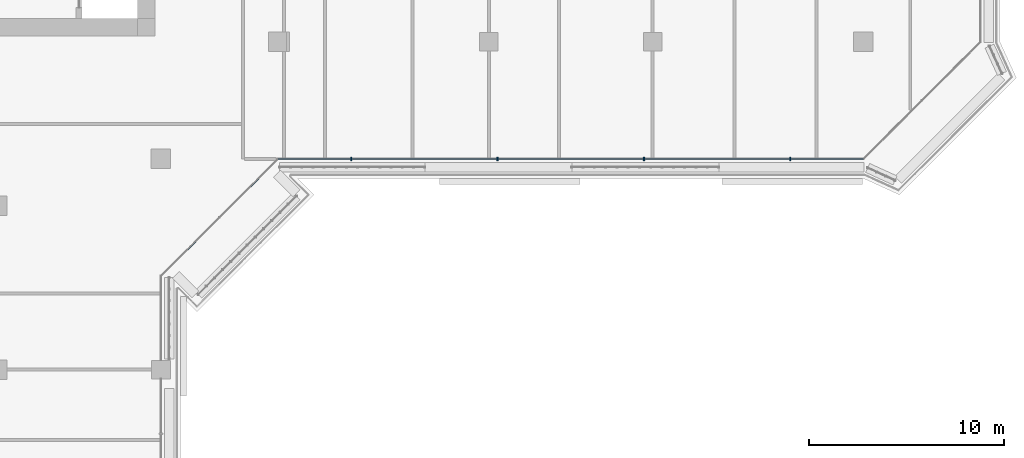
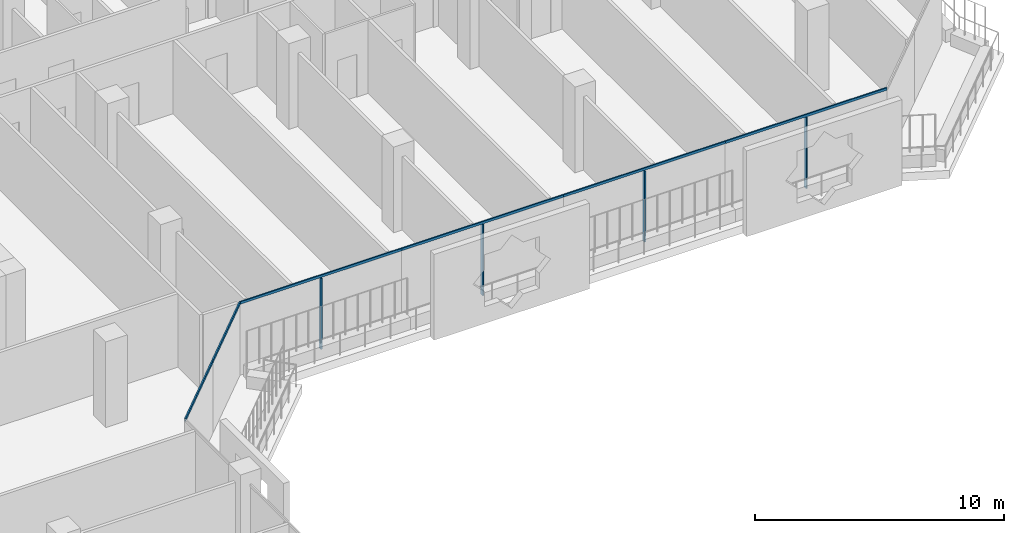
# One storey, part 3 of 22: 10 members, 2 elements without a shape of their own.
"""IFC4 building model written with IfcOpenShell, lengths in metres."""

from ifc_helpers import new_model, si_unit, direction, frame, origin, origin_2d, place, context, subcontext, project, spatial, rectangle, extrude, material, layer, layer_set, material_profile, profile_set, type_object, element, aggregate, save


model = new_model("IFC4")

# Units and contexts
model_context = context("Model", 3, precision=1e-05, world=origin(), true_north=direction((0.0, 1.0)))
body_context = subcontext(model_context, "Body", "Model", "MODEL_VIEW")
ifc_project = project(units=[si_unit("LENGTHUNIT", "METRE"), si_unit("AREAUNIT", "SQUARE_METRE"), si_unit("VOLUMEUNIT", "CUBIC_METRE"), si_unit("PLANEANGLEUNIT", "RADIAN"), si_unit("MASSUNIT", "GRAM", prefix="KILO")], contexts=[model_context])

# Site, building, storey
site_placement = place(None, origin())
site = spatial("IfcSite", under=ifc_project, at=site_placement, CompositionType="ELEMENT")
building_placement = place(site_placement, origin())
building = spatial("IfcBuilding", under=site, at=building_placement, Name="Kawkab Arch Medical Tower", CompositionType="ELEMENT")
storey_placement = place(building_placement, frame((0.0, 0.0, 196.199951171875)))
storey = spatial("IfcBuildingStorey", under=building, at=storey_placement, Name="L45", CompositionType="ELEMENT", Elevation=196.199951171875)

# Curtain wall, members
ifc_material_1 = material(Name="Bronze anodised aluminium curtain wall frame", Category="aluminium")
ifc_layer_1 = layer(ifc_material_1, 0.159912109375)
ifc_layer_set_1 = layer_set([ifc_layer_1], Name="Bronze anodised aluminium curtain wall frame")
curtain_wall_type_1 = type_object("IfcCurtainWallType", Name="CW1 ward curtain wall", PredefinedType="NOTDEFINED", material=ifc_layer_set_1)
placement = place(storey_placement, origin())
curtain_wall_1 = element("IfcCurtainWall", 1, at=placement, inside=storey, type_object=curtain_wall_type_1, Name="CW1 Ward curtain wall R07", PredefinedType="NOTDEFINED")
ifc_material_2 = material(Name="Bronze anodised aluminium curtain wall frame", Category="aluminium")
ifc_material_profile_1 = material_profile(ifc_material_2, rectangle(XDim=0.179931640625, YDim=0.06005859375, at=origin_2d()), Name="AL 60x180")
ifc_profile_set_1 = profile_set([ifc_material_profile_1], Name="Bronze anodised aluminium curtain wall frame")
member_type_1 = type_object("IfcMemberType", Name="CW1 mullion 60 x 180", PredefinedType="MULLION", material=ifc_profile_set_1)
member_1_placement = place(storey_placement, frame((34.949951171875, -31.199951171875, 0.0), z_axis=(0.0, 0.0, 1.0), x_axis=(0.0, 1.0, 0.0)))
member_1 = element("IfcMember", 2, at=member_1_placement, type_object=member_type_1, Name="CW1 mullion 1.1", PredefinedType="MULLION", context=body_context, shape_type="SweptSolid", body=[
    extrude(rectangle(XDim=0.179931640625, YDim=0.06005859375, at=origin_2d()), origin(), (0.0, 0.0, 1.0), 3.47998046875),
])
member_2_placement = place(storey_placement, frame((42.449951171875, -31.199951171875, 0.0), z_axis=(0.0, 0.0, 1.0), x_axis=(0.0, 1.0, 0.0)))
member_2 = element("IfcMember", 3, at=member_2_placement, type_object=member_type_1, Name="CW1 mullion 2.1", PredefinedType="MULLION", context=body_context, shape_type="SweptSolid", body=[
    extrude(rectangle(XDim=0.179931640625, YDim=0.06005859375, at=origin_2d()), origin(), (0.0, 0.0, 1.0), 3.47998046875),
])
member_3_placement = place(storey_placement, frame((49.949951171875, -31.199951171875, 0.0), z_axis=(0.0, 0.0, 1.0), x_axis=(0.0, 1.0, 0.0)))
member_3 = element("IfcMember", 4, at=member_3_placement, type_object=member_type_1, Name="CW1 mullion 3.1", PredefinedType="MULLION", context=body_context, shape_type="SweptSolid", body=[
    extrude(rectangle(XDim=0.179931640625, YDim=0.06005859375, at=origin_2d()), origin(), (0.0, 0.0, 1.0), 3.47998046875),
])
member_4_placement = place(storey_placement, frame((57.449951171875, -31.199951171875, 0.0), z_axis=(0.0, 0.0, 1.0), x_axis=(0.0, 1.0, 0.0)))
member_4 = element("IfcMember", 5, at=member_4_placement, type_object=member_type_1, Name="CW1 mullion 4.1", PredefinedType="MULLION", context=body_context, shape_type="SweptSolid", body=[
    extrude(rectangle(XDim=0.179931640625, YDim=0.06005859375, at=origin_2d()), origin(), (0.0, 0.0, 1.0), 3.47998046875),
])
ifc_material_3 = material(Name="Bronze anodised aluminium curtain wall frame", Category="aluminium")
ifc_material_profile_2 = material_profile(ifc_material_3, rectangle(XDim=0.06005859375, YDim=0.1201171875, at=origin_2d()), Name="AL 60x120")
ifc_profile_set_2 = profile_set([ifc_material_profile_2], Name="Bronze anodised aluminium curtain wall frame")
member_type_2 = type_object("IfcMemberType", Name="CW1 transom 120 x 60", PredefinedType="USERDEFINED", material=ifc_profile_set_2)
member_5_placement = place(storey_placement, frame((31.199951171875, -31.199951171875, 3.5400390625), z_axis=(1.0, 0.0, 0.0), x_axis=(0.0, 1.0, 0.0)))
member_5 = element("IfcMember", 6, at=member_5_placement, type_object=member_type_2, Name="CW1 transom 1", ObjectType="TRANSOM", PredefinedType="USERDEFINED", context=body_context, shape_type="SweptSolid", body=[
    extrude(rectangle(XDim=0.06005859375, YDim=0.1201171875, at=origin_2d()), origin(), (0.0, 0.0, 1.0), 7.5),
])
member_6_placement = place(storey_placement, frame((38.699951171875, -31.199951171875, 3.5400390625), z_axis=(1.0, 0.0, 0.0), x_axis=(0.0, 1.0, 0.0)))
member_6 = element("IfcMember", 7, at=member_6_placement, type_object=member_type_2, Name="CW1 transom 2", ObjectType="TRANSOM", PredefinedType="USERDEFINED", context=body_context, shape_type="SweptSolid", body=[
    extrude(rectangle(XDim=0.06005859375, YDim=0.1201171875, at=origin_2d()), origin(), (0.0, 0.0, 1.0), 7.5),
])
member_7_placement = place(storey_placement, frame((46.199951171875, -31.199951171875, 3.5400390625), z_axis=(1.0, 0.0, 0.0), x_axis=(0.0, 1.0, 0.0)))
member_7 = element("IfcMember", 8, at=member_7_placement, type_object=member_type_2, Name="CW1 transom 3", ObjectType="TRANSOM", PredefinedType="USERDEFINED", context=body_context, shape_type="SweptSolid", body=[
    extrude(rectangle(XDim=0.06005859375, YDim=0.1201171875, at=origin_2d()), origin(), (0.0, 0.0, 1.0), 7.5),
])
member_8_placement = place(storey_placement, frame((53.699951171875, -31.199951171875, 3.5400390625), z_axis=(1.0, 0.0, 0.0), x_axis=(0.0, 1.0, 0.0)))
member_8 = element("IfcMember", 9, at=member_8_placement, type_object=member_type_2, Name="CW1 transom 4", ObjectType="TRANSOM", PredefinedType="USERDEFINED", context=body_context, shape_type="SweptSolid", body=[
    extrude(rectangle(XDim=0.06005859375, YDim=0.1201171875, at=origin_2d()), origin(), (0.0, 0.0, 1.0), 7.5),
])
aggregate(curtain_wall_1, [member_5, member_1, member_6, member_2, member_7, member_3, member_8, member_4])

ifc_material_4 = material(Name="Bronze anodised aluminium curtain wall frame", Category="aluminium")
ifc_layer_2 = layer(ifc_material_4, 0.159912109375)
ifc_layer_set_2 = layer_set([ifc_layer_2], Name="Bronze anodised aluminium curtain wall frame")
curtain_wall_type_2 = type_object("IfcCurtainWallType", Name="CW2 chamfer curtain wall", PredefinedType="NOTDEFINED", material=ifc_layer_set_2)
curtain_wall_2 = element("IfcCurtainWall", 10, at=placement, inside=storey, type_object=curtain_wall_type_2, Name="CW2 Chamfer curtain wall R06", PredefinedType="NOTDEFINED")
ifc_material_5 = material(Name="Bronze anodised aluminium curtain wall frame", Category="aluminium")
ifc_material_profile_3 = material_profile(ifc_material_5, rectangle(XDim=0.06005859375, YDim=0.139892578125, at=origin_2d()), Name="AL 60x140")
ifc_profile_set_3 = profile_set([ifc_material_profile_3], Name="Bronze anodised aluminium curtain wall frame")
member_type_3 = type_object("IfcMemberType", Name="CW2 transom 140 x 60", PredefinedType="USERDEFINED", material=ifc_profile_set_3)
member_9_placement = place(storey_placement, frame((25.199951171875, -37.199951171875, 3.530029296875), z_axis=(0.707106781187, 0.707106781187, 0.0), x_axis=(-0.707106781187, 0.707106781187, 0.0)))
member_9 = element("IfcMember", 11, at=member_9_placement, type_object=member_type_3, Name="CW2 transom 1", ObjectType="TRANSOM", PredefinedType="USERDEFINED", context=body_context, shape_type="SweptSolid", body=[
    extrude(rectangle(XDim=0.06005859375, YDim=0.139892578125, at=origin_2d()), origin(), (0.0, 0.0, 1.0), 4.24267578125),
])
member_10_placement = place(storey_placement, frame((28.199951171875, -34.199951171875, 3.530029296875), z_axis=(0.707106781187, 0.707106781187, 0.0), x_axis=(-0.707106781187, 0.707106781187, 0.0)))
member_10 = element("IfcMember", 12, at=member_10_placement, type_object=member_type_3, Name="CW2 transom 2", ObjectType="TRANSOM", PredefinedType="USERDEFINED", context=body_context, shape_type="SweptSolid", body=[
    extrude(rectangle(XDim=0.06005859375, YDim=0.139892578125, at=origin_2d()), origin(), (0.0, 0.0, 1.0), 4.24267578125),
])
aggregate(curtain_wall_2, [member_9, member_10])

save(model, "model.ifc")
